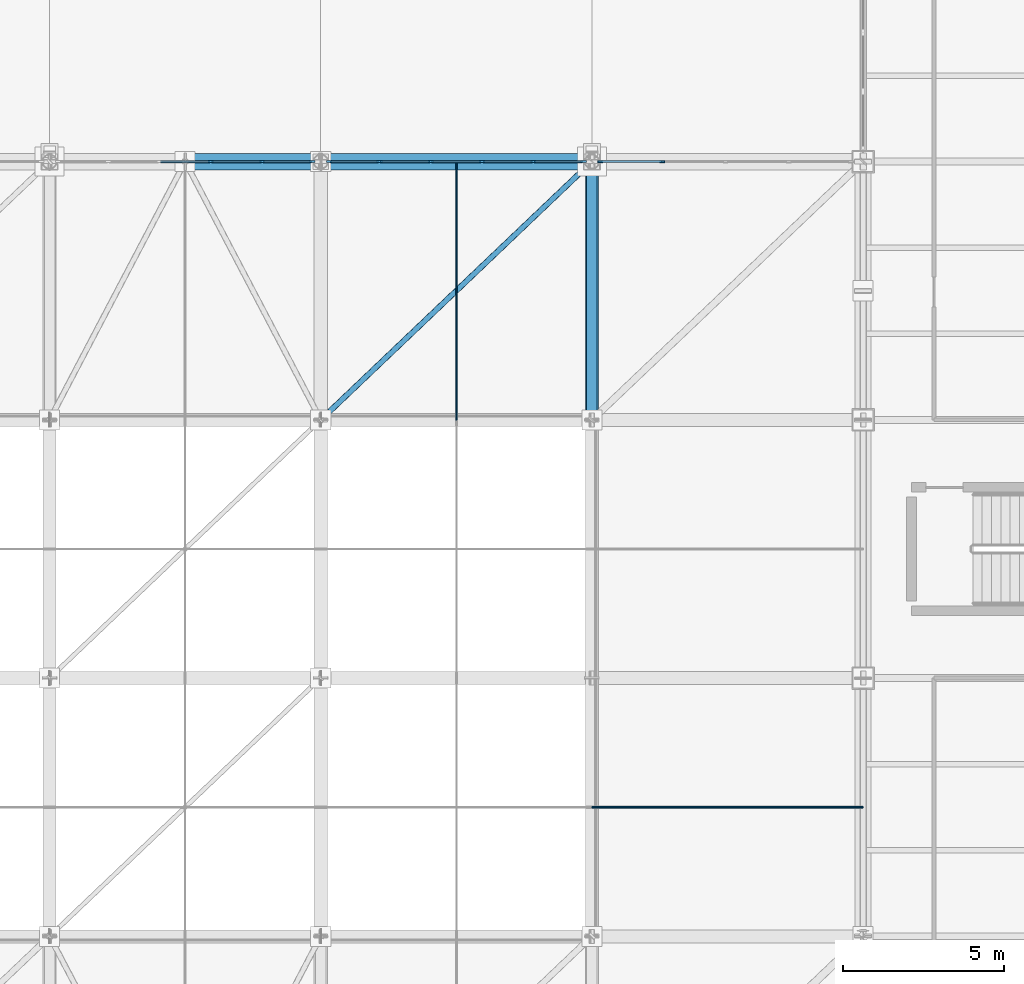
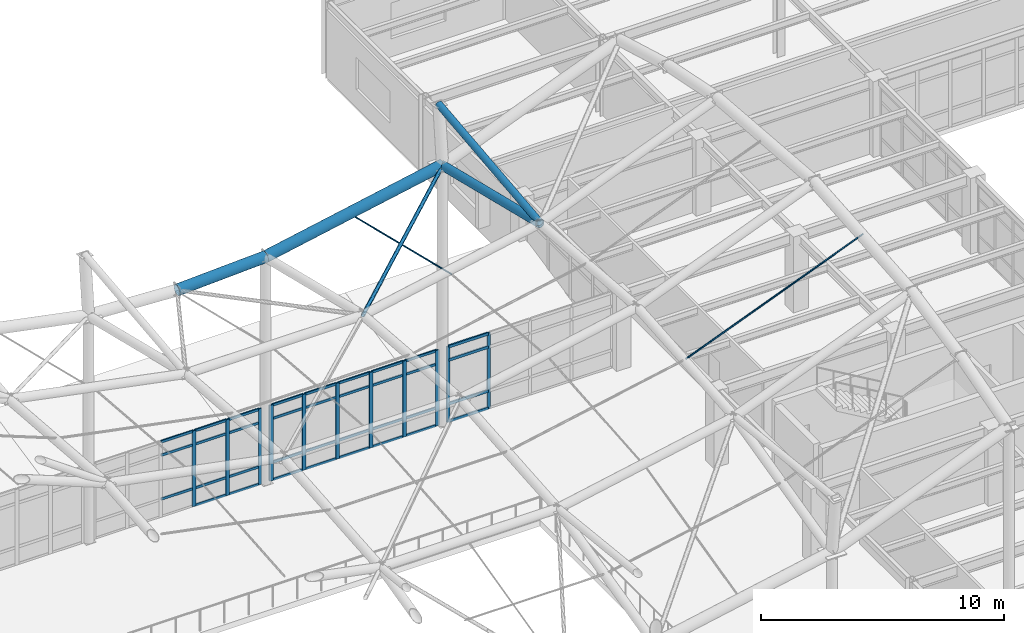
# One storey, part 45 of 138: 50 members, 3 beams, 3 elements without a shape of their own.
"""IFC4 building model written with IfcOpenShell, lengths in metres."""

from ifc_helpers import new_model, si_unit, direction, frame, origin, origin_2d, place, context, subcontext, project, spatial, rectangle, circle, hollow_circle, extrude, material, layer, layer_set, material_profile, profile_set, type_object, element, aggregate, save


model = new_model("IFC4")

# Units and contexts
model_context = context("Model", 3, precision=1e-05, world=origin(), true_north=direction((0.0, 1.0)))
body_context = subcontext(model_context, "Body", "Model", "MODEL_VIEW")
ifc_project = project(units=[si_unit("LENGTHUNIT", "METRE"), si_unit("AREAUNIT", "SQUARE_METRE"), si_unit("VOLUMEUNIT", "CUBIC_METRE"), si_unit("PLANEANGLEUNIT", "RADIAN"), si_unit("MASSUNIT", "GRAM", prefix="KILO")], contexts=[model_context])

# Site, building, storey
site_placement = place(None, origin())
site = spatial("IfcSite", under=ifc_project, at=site_placement, CompositionType="ELEMENT")
building_placement = place(site_placement, origin())
building = spatial("IfcBuilding", under=site, at=building_placement, Name="Kranzveld Transit Interchange", CompositionType="ELEMENT")
storey_placement = place(building_placement, frame((0.0, 0.0, 5.43994140625)))
storey = spatial("IfcBuildingStorey", under=building, at=storey_placement, Name="L01", CompositionType="ELEMENT", Elevation=5.43994140625)

# Curtain wall, members
ifc_material_1 = material(Name="Bronze-anodised thermally broken aluminium", Category="aluminium")
ifc_layer_1 = layer(ifc_material_1, 0.159912109375)
ifc_layer_set_1 = layer_set([ifc_layer_1], Name="Bronze-anodised thermally broken aluminium")
curtain_wall_type_1 = type_object("IfcCurtainWallType", Name="Bus Boarding Glazed Screen CW-3", PredefinedType="USERDEFINED", material=ifc_layer_set_1)
curtain_wall_1_placement = place(storey_placement, origin())
curtain_wall_1 = element("IfcCurtainWall", 1, at=curtain_wall_1_placement, inside=storey, type_object=curtain_wall_type_1, Name="L01 Curtain Wall 12/M-13/M", ObjectType="CURTAIN WALL", PredefinedType="USERDEFINED")
ifc_material_2 = material(Name="Bronze-anodised thermally broken aluminium", Category="aluminium")
ifc_material_profile_1 = material_profile(ifc_material_2, rectangle(XDim=0.06005859375, YDim=0.14990234375, at=origin_2d()), Name="ALU MULLION 60x150")
ifc_profile_set_1 = profile_set([ifc_material_profile_1], Name="Bronze-anodised thermally broken aluminium")
member_type_1 = type_object("IfcMemberType", Name="Curtain Wall Mullion 60x150 Alu", PredefinedType="MULLION", material=ifc_profile_set_1)
member_1_placement = place(storey_placement, frame((92.658447265625, 88.0, 0.0), z_axis=(0.0, 0.0, 1.0), x_axis=(0.0, 1.0, 0.0)))
member_1 = element("IfcMember", 2, at=member_1_placement, type_object=member_type_1, Name="CW-3 mullion 1", PredefinedType="MULLION", context=body_context, shape_type="SweptSolid", body=[
    extrude(rectangle(XDim=0.06005859375, YDim=0.14990234375, at=origin_2d()), origin(), (0.0, 0.0, 1.0), 3.800048828125),
])
member_2_placement = place(storey_placement, frame((94.583984375, 88.0, 0.0), z_axis=(0.0, 0.0, 1.0), x_axis=(0.0, 1.0, 0.0)))
member_2 = element("IfcMember", 3, at=member_2_placement, type_object=member_type_1, Name="CW-3 mullion 2", PredefinedType="MULLION", context=body_context, shape_type="SweptSolid", body=[
    extrude(rectangle(XDim=0.06005859375, YDim=0.14990234375, at=origin_2d()), origin(), (0.0, 0.0, 1.0), 3.800048828125),
])

ifc_material_3 = material(Name="Bronze-anodised thermally broken aluminium", Category="aluminium")
ifc_layer_2 = layer(ifc_material_3, 0.155029296875)
ifc_layer_set_2 = layer_set([ifc_layer_2], Name="Bronze-anodised thermally broken aluminium")
curtain_wall_type_2 = type_object("IfcCurtainWallType", Name="Operations Courtyard Glazed Screen CW-6", PredefinedType="USERDEFINED", material=ifc_layer_set_2)
curtain_wall_2_placement = place(storey_placement, origin())
curtain_wall_2 = element("IfcCurtainWall", 4, at=curtain_wall_2_placement, inside=storey, type_object=curtain_wall_type_2, Name="L01 Curtain Wall 10/M-11/M", ObjectType="CURTAIN WALL", PredefinedType="USERDEFINED")
ifc_material_4 = material(Name="Bronze-anodised thermally broken aluminium", Category="aluminium")
ifc_material_profile_2 = material_profile(ifc_material_4, rectangle(XDim=0.06494140625, YDim=0.1650390625, at=origin_2d()), Name="ALU MULLION 65x165")
ifc_profile_set_2 = profile_set([ifc_material_profile_2], Name="Bronze-anodised thermally broken aluminium")
member_type_2 = type_object("IfcMemberType", Name="Curtain Wall Mullion 65x165 Alu", PredefinedType="MULLION", material=ifc_profile_set_2)
member_3_placement = place(storey_placement, frame((80.59423828125, 88.0, 0.0), z_axis=(0.0, 0.0, 1.0), x_axis=(0.0, 1.0, 0.0)))
member_3 = element("IfcMember", 5, at=member_3_placement, type_object=member_type_2, Name="CW-6 mullion 4", PredefinedType="MULLION", context=body_context, shape_type="SweptSolid", body=[
    extrude(rectangle(XDim=0.06494140625, YDim=0.1650390625, at=origin_2d()), origin(), (0.0, 0.0, 1.0), 3.800048828125),
])
member_4_placement = place(storey_placement, frame((82.182861328125, 88.0, 0.0), z_axis=(0.0, 0.0, 1.0), x_axis=(0.0, 1.0, 0.0)))
member_4 = element("IfcMember", 6, at=member_4_placement, type_object=member_type_2, Name="CW-6 mullion 5", PredefinedType="MULLION", context=body_context, shape_type="SweptSolid", body=[
    extrude(rectangle(XDim=0.06494140625, YDim=0.1650390625, at=origin_2d()), origin(), (0.0, 0.0, 1.0), 3.800048828125),
])
member_5_placement = place(storey_placement, frame((83.739013671875, 88.0, 0.0), z_axis=(0.0, 0.0, 1.0), x_axis=(0.0, 1.0, 0.0)))
member_5 = element("IfcMember", 7, at=member_5_placement, type_object=member_type_2, Name="CW-6 mullion 6", PredefinedType="MULLION", context=body_context, shape_type="SweptSolid", body=[
    extrude(rectangle(XDim=0.06494140625, YDim=0.1650390625, at=origin_2d()), origin(), (0.0, 0.0, 1.0), 3.800048828125),
])

ifc_material_5 = material(Name="Bronze-anodised thermally broken aluminium", Category="aluminium")
ifc_layer_3 = layer(ifc_material_5, 0.1650390625)
ifc_layer_set_3 = layer_set([ifc_layer_3], Name="Bronze-anodised thermally broken aluminium")
curtain_wall_type_3 = type_object("IfcCurtainWallType", Name="Sunny Court Arcade Curtain Wall CW-2", PredefinedType="USERDEFINED", material=ifc_layer_set_3)
curtain_wall_3_placement = place(storey_placement, origin())
curtain_wall_3 = element("IfcCurtainWall", 8, at=curtain_wall_3_placement, inside=storey, type_object=curtain_wall_type_3, Name="L01 Curtain Wall 11/M-12/M", ObjectType="CURTAIN WALL", PredefinedType="USERDEFINED")
ifc_material_6 = material(Name="Bronze-anodised thermally broken aluminium", Category="aluminium")
ifc_material_profile_3 = material_profile(ifc_material_6, rectangle(XDim=0.06494140625, YDim=0.179931640625, at=origin_2d()), Name="ALU MULLION 65x180")
ifc_profile_set_3 = profile_set([ifc_material_profile_3], Name="Bronze-anodised thermally broken aluminium")
member_type_3 = type_object("IfcMemberType", Name="Curtain Wall Mullion 65x180 Alu", PredefinedType="MULLION", material=ifc_profile_set_3)
member_6_placement = place(storey_placement, frame((84.260986328125, 88.0, 0.0), z_axis=(0.0, 0.0, 1.0), x_axis=(0.0, 1.0, 0.0)))
member_6 = element("IfcMember", 9, at=member_6_placement, type_object=member_type_3, Name="CW-2 mullion 1", PredefinedType="MULLION", context=body_context, shape_type="SweptSolid", body=[
    extrude(rectangle(XDim=0.06494140625, YDim=0.179931640625, at=origin_2d()), origin(), (0.0, 0.0, 1.0), 3.800048828125),
])
member_7_placement = place(storey_placement, frame((85.817138671875, 88.0, 0.0), z_axis=(0.0, 0.0, 1.0), x_axis=(0.0, 1.0, 0.0)))
member_7 = element("IfcMember", 10, at=member_7_placement, type_object=member_type_3, Name="CW-2 mullion 2", PredefinedType="MULLION", context=body_context, shape_type="SweptSolid", body=[
    extrude(rectangle(XDim=0.06494140625, YDim=0.179931640625, at=origin_2d()), origin(), (0.0, 0.0, 1.0), 3.800048828125),
])
member_8_placement = place(storey_placement, frame((87.40576171875, 88.0, 0.0), z_axis=(0.0, 0.0, 1.0), x_axis=(0.0, 1.0, 0.0)))
member_8 = element("IfcMember", 11, at=member_8_placement, type_object=member_type_3, Name="CW-2 mullion 3", PredefinedType="MULLION", context=body_context, shape_type="SweptSolid", body=[
    extrude(rectangle(XDim=0.06494140625, YDim=0.179931640625, at=origin_2d()), origin(), (0.0, 0.0, 1.0), 3.800048828125),
])
member_9_placement = place(storey_placement, frame((88.994384765625, 88.0, 0.0), z_axis=(0.0, 0.0, 1.0), x_axis=(0.0, 1.0, 0.0)))
member_9 = element("IfcMember", 12, at=member_9_placement, type_object=member_type_3, Name="CW-2 mullion 4", PredefinedType="MULLION", context=body_context, shape_type="SweptSolid", body=[
    extrude(rectangle(XDim=0.06494140625, YDim=0.179931640625, at=origin_2d()), origin(), (0.0, 0.0, 1.0), 3.800048828125),
])
member_10_placement = place(storey_placement, frame((90.5830078125, 88.0, 0.0), z_axis=(0.0, 0.0, 1.0), x_axis=(0.0, 1.0, 0.0)))
member_10 = element("IfcMember", 13, at=member_10_placement, type_object=member_type_3, Name="CW-2 mullion 5", PredefinedType="MULLION", context=body_context, shape_type="SweptSolid", body=[
    extrude(rectangle(XDim=0.06494140625, YDim=0.179931640625, at=origin_2d()), origin(), (0.0, 0.0, 1.0), 3.800048828125),
])
member_11_placement = place(storey_placement, frame((92.138916015625, 88.0, 0.0), z_axis=(0.0, 0.0, 1.0), x_axis=(0.0, 1.0, 0.0)))
member_11 = element("IfcMember", 14, at=member_11_placement, type_object=member_type_3, Name="CW-2 mullion 6", PredefinedType="MULLION", context=body_context, shape_type="SweptSolid", body=[
    extrude(rectangle(XDim=0.06494140625, YDim=0.179931640625, at=origin_2d()), origin(), (0.0, 0.0, 1.0), 3.800048828125),
])

# Member
ifc_material_7 = material(Name="Bronze-anodised thermally broken aluminium", Category="aluminium")
ifc_material_profile_4 = material_profile(ifc_material_7, rectangle(XDim=0.06005859375, YDim=0.125, at=origin_2d()), Name="ALU TRANSOM 60x125")
ifc_profile_set_4 = profile_set([ifc_material_profile_4], Name="Bronze-anodised thermally broken aluminium")
member_type_4 = type_object("IfcMemberType", Name="Curtain Wall Transom 60x125 Alu", PredefinedType="USERDEFINED", material=ifc_profile_set_4)
member_12_placement = place(storey_placement, frame((79.0380859375, 88.0, 0.900146484375), z_axis=(1.0, 0.0, 0.0), x_axis=(0.0, 1.0, 0.0)))
member_12 = element("IfcMember", 15, at=member_12_placement, type_object=member_type_4, Name="CW-6 transom 3.2", ObjectType="TRANSOM", PredefinedType="USERDEFINED", context=body_context, shape_type="SweptSolid", body=[
    extrude(rectangle(XDim=0.06005859375, YDim=0.125, at=origin_2d()), origin(), (0.0, 0.0, 1.0), 1.523681640625),
])

member_13_placement = place(storey_placement, frame((79.0380859375, 88.0, 3.10009765625), z_axis=(1.0, 0.0, 0.0), x_axis=(0.0, 1.0, 0.0)))
member_13 = element("IfcMember", 16, at=member_13_placement, type_object=member_type_4, Name="CW-6 transom 3.3", ObjectType="TRANSOM", PredefinedType="USERDEFINED", context=body_context, shape_type="SweptSolid", body=[
    extrude(rectangle(XDim=0.06005859375, YDim=0.125, at=origin_2d()), origin(), (0.0, 0.0, 1.0), 1.523681640625),
])

member_14_placement = place(storey_placement, frame((79.0380859375, 88.0, 3.77001953125), z_axis=(1.0, 0.0, 0.0), x_axis=(0.0, 1.0, 0.0)))
member_14 = element("IfcMember", 17, at=member_14_placement, type_object=member_type_4, Name="CW-6 transom 3.4", ObjectType="TRANSOM", PredefinedType="USERDEFINED", context=body_context, shape_type="SweptSolid", body=[
    extrude(rectangle(XDim=0.06005859375, YDim=0.125, at=origin_2d()), origin(), (0.0, 0.0, 1.0), 1.523681640625),
])

member_15_placement = place(storey_placement, frame((80.626708984375, 88.0, 0.030029296875), z_axis=(1.0, 0.0, 0.0), x_axis=(0.0, 1.0, 0.0)))
member_15 = element("IfcMember", 18, at=member_15_placement, type_object=member_type_4, Name="CW-6 transom 4.1", ObjectType="TRANSOM", PredefinedType="USERDEFINED", context=body_context, shape_type="SweptSolid", body=[
    extrude(rectangle(XDim=0.06005859375, YDim=0.125, at=origin_2d()), origin(), (0.0, 0.0, 1.0), 1.523681640625),
])

member_16_placement = place(storey_placement, frame((80.626708984375, 88.0, 0.900146484375), z_axis=(1.0, 0.0, 0.0), x_axis=(0.0, 1.0, 0.0)))
member_16 = element("IfcMember", 19, at=member_16_placement, type_object=member_type_4, Name="CW-6 transom 4.2", ObjectType="TRANSOM", PredefinedType="USERDEFINED", context=body_context, shape_type="SweptSolid", body=[
    extrude(rectangle(XDim=0.06005859375, YDim=0.125, at=origin_2d()), origin(), (0.0, 0.0, 1.0), 1.523681640625),
])

member_17_placement = place(storey_placement, frame((80.626708984375, 88.0, 3.10009765625), z_axis=(1.0, 0.0, 0.0), x_axis=(0.0, 1.0, 0.0)))
member_17 = element("IfcMember", 20, at=member_17_placement, type_object=member_type_4, Name="CW-6 transom 4.3", ObjectType="TRANSOM", PredefinedType="USERDEFINED", context=body_context, shape_type="SweptSolid", body=[
    extrude(rectangle(XDim=0.06005859375, YDim=0.125, at=origin_2d()), origin(), (0.0, 0.0, 1.0), 1.523681640625),
])

member_18_placement = place(storey_placement, frame((80.626708984375, 88.0, 3.77001953125), z_axis=(1.0, 0.0, 0.0), x_axis=(0.0, 1.0, 0.0)))
member_18 = element("IfcMember", 21, at=member_18_placement, type_object=member_type_4, Name="CW-6 transom 4.4", ObjectType="TRANSOM", PredefinedType="USERDEFINED", context=body_context, shape_type="SweptSolid", body=[
    extrude(rectangle(XDim=0.06005859375, YDim=0.125, at=origin_2d()), origin(), (0.0, 0.0, 1.0), 1.523681640625),
])

member_19_placement = place(storey_placement, frame((82.21533203125, 88.0, 0.030029296875), z_axis=(1.0, 0.0, 0.0), x_axis=(0.0, 1.0, 0.0)))
member_19 = element("IfcMember", 22, at=member_19_placement, type_object=member_type_4, Name="CW-6 transom 5.1", ObjectType="TRANSOM", PredefinedType="USERDEFINED", context=body_context, shape_type="SweptSolid", body=[
    extrude(rectangle(XDim=0.06005859375, YDim=0.125, at=origin_2d()), origin(), (0.0, 0.0, 1.0), 1.4912109375),
])

member_20_placement = place(storey_placement, frame((82.21533203125, 88.0, 0.900146484375), z_axis=(1.0, 0.0, 0.0), x_axis=(0.0, 1.0, 0.0)))
member_20 = element("IfcMember", 23, at=member_20_placement, type_object=member_type_4, Name="CW-6 transom 5.2", ObjectType="TRANSOM", PredefinedType="USERDEFINED", context=body_context, shape_type="SweptSolid", body=[
    extrude(rectangle(XDim=0.06005859375, YDim=0.125, at=origin_2d()), origin(), (0.0, 0.0, 1.0), 1.4912109375),
])

member_21_placement = place(storey_placement, frame((82.21533203125, 88.0, 3.10009765625), z_axis=(1.0, 0.0, 0.0), x_axis=(0.0, 1.0, 0.0)))
member_21 = element("IfcMember", 24, at=member_21_placement, type_object=member_type_4, Name="CW-6 transom 5.3", ObjectType="TRANSOM", PredefinedType="USERDEFINED", context=body_context, shape_type="SweptSolid", body=[
    extrude(rectangle(XDim=0.06005859375, YDim=0.125, at=origin_2d()), origin(), (0.0, 0.0, 1.0), 1.4912109375),
])

member_22_placement = place(storey_placement, frame((82.21533203125, 88.0, 3.77001953125), z_axis=(1.0, 0.0, 0.0), x_axis=(0.0, 1.0, 0.0)))
member_22 = element("IfcMember", 25, at=member_22_placement, type_object=member_type_4, Name="CW-6 transom 5.4", ObjectType="TRANSOM", PredefinedType="USERDEFINED", context=body_context, shape_type="SweptSolid", body=[
    extrude(rectangle(XDim=0.06005859375, YDim=0.125, at=origin_2d()), origin(), (0.0, 0.0, 1.0), 1.4912109375),
])

aggregate(curtain_wall_2, [member_3, member_4, member_5, member_12, member_13, member_14, member_15, member_16, member_17, member_18, member_19, member_20, member_21, member_22])

member_23_placement = place(storey_placement, frame((84.29345703125, 88.0, 0.030029296875), z_axis=(1.0, 0.0, 0.0), x_axis=(0.0, 1.0, 0.0)))
member_23 = element("IfcMember", 26, at=member_23_placement, type_object=member_type_4, Name="CW-2 transom 1.1", ObjectType="TRANSOM", PredefinedType="USERDEFINED", context=body_context, shape_type="SweptSolid", body=[
    extrude(rectangle(XDim=0.06005859375, YDim=0.125, at=origin_2d()), origin(), (0.0, 0.0, 1.0), 1.4912109375),
])

member_24_placement = place(storey_placement, frame((84.29345703125, 88.0, 0.900146484375), z_axis=(1.0, 0.0, 0.0), x_axis=(0.0, 1.0, 0.0)))
member_24 = element("IfcMember", 27, at=member_24_placement, type_object=member_type_4, Name="CW-2 transom 1.2", ObjectType="TRANSOM", PredefinedType="USERDEFINED", context=body_context, shape_type="SweptSolid", body=[
    extrude(rectangle(XDim=0.06005859375, YDim=0.125, at=origin_2d()), origin(), (0.0, 0.0, 1.0), 1.4912109375),
])

member_25_placement = place(storey_placement, frame((84.29345703125, 88.0, 3.10009765625), z_axis=(1.0, 0.0, 0.0), x_axis=(0.0, 1.0, 0.0)))
member_25 = element("IfcMember", 28, at=member_25_placement, type_object=member_type_4, Name="CW-2 transom 1.3", ObjectType="TRANSOM", PredefinedType="USERDEFINED", context=body_context, shape_type="SweptSolid", body=[
    extrude(rectangle(XDim=0.06005859375, YDim=0.125, at=origin_2d()), origin(), (0.0, 0.0, 1.0), 1.4912109375),
])

member_26_placement = place(storey_placement, frame((84.29345703125, 88.0, 3.77001953125), z_axis=(1.0, 0.0, 0.0), x_axis=(0.0, 1.0, 0.0)))
member_26 = element("IfcMember", 29, at=member_26_placement, type_object=member_type_4, Name="CW-2 transom 1.4", ObjectType="TRANSOM", PredefinedType="USERDEFINED", context=body_context, shape_type="SweptSolid", body=[
    extrude(rectangle(XDim=0.06005859375, YDim=0.125, at=origin_2d()), origin(), (0.0, 0.0, 1.0), 1.4912109375),
])

member_27_placement = place(storey_placement, frame((85.849609375, 88.0, 0.030029296875), z_axis=(1.0, 0.0, 0.0), x_axis=(0.0, 1.0, 0.0)))
member_27 = element("IfcMember", 30, at=member_27_placement, type_object=member_type_4, Name="CW-2 transom 2.1", ObjectType="TRANSOM", PredefinedType="USERDEFINED", context=body_context, shape_type="SweptSolid", body=[
    extrude(rectangle(XDim=0.06005859375, YDim=0.125, at=origin_2d()), origin(), (0.0, 0.0, 1.0), 1.523681640625),
])

member_28_placement = place(storey_placement, frame((85.849609375, 88.0, 0.900146484375), z_axis=(1.0, 0.0, 0.0), x_axis=(0.0, 1.0, 0.0)))
member_28 = element("IfcMember", 31, at=member_28_placement, type_object=member_type_4, Name="CW-2 transom 2.2", ObjectType="TRANSOM", PredefinedType="USERDEFINED", context=body_context, shape_type="SweptSolid", body=[
    extrude(rectangle(XDim=0.06005859375, YDim=0.125, at=origin_2d()), origin(), (0.0, 0.0, 1.0), 1.523681640625),
])

member_29_placement = place(storey_placement, frame((85.849609375, 88.0, 3.10009765625), z_axis=(1.0, 0.0, 0.0), x_axis=(0.0, 1.0, 0.0)))
member_29 = element("IfcMember", 32, at=member_29_placement, type_object=member_type_4, Name="CW-2 transom 2.3", ObjectType="TRANSOM", PredefinedType="USERDEFINED", context=body_context, shape_type="SweptSolid", body=[
    extrude(rectangle(XDim=0.06005859375, YDim=0.125, at=origin_2d()), origin(), (0.0, 0.0, 1.0), 1.523681640625),
])

member_30_placement = place(storey_placement, frame((85.849609375, 88.0, 3.77001953125), z_axis=(1.0, 0.0, 0.0), x_axis=(0.0, 1.0, 0.0)))
member_30 = element("IfcMember", 33, at=member_30_placement, type_object=member_type_4, Name="CW-2 transom 2.4", ObjectType="TRANSOM", PredefinedType="USERDEFINED", context=body_context, shape_type="SweptSolid", body=[
    extrude(rectangle(XDim=0.06005859375, YDim=0.125, at=origin_2d()), origin(), (0.0, 0.0, 1.0), 1.523681640625),
])

member_31_placement = place(storey_placement, frame((87.438232421875, 88.0, 0.030029296875), z_axis=(1.0, 0.0, 0.0), x_axis=(0.0, 1.0, 0.0)))
member_31 = element("IfcMember", 34, at=member_31_placement, type_object=member_type_4, Name="CW-2 transom 3.1", ObjectType="TRANSOM", PredefinedType="USERDEFINED", context=body_context, shape_type="SweptSolid", body=[
    extrude(rectangle(XDim=0.06005859375, YDim=0.125, at=origin_2d()), origin(), (0.0, 0.0, 1.0), 1.523681640625),
])

member_32_placement = place(storey_placement, frame((87.438232421875, 88.0, 0.900146484375), z_axis=(1.0, 0.0, 0.0), x_axis=(0.0, 1.0, 0.0)))
member_32 = element("IfcMember", 35, at=member_32_placement, type_object=member_type_4, Name="CW-2 transom 3.2", ObjectType="TRANSOM", PredefinedType="USERDEFINED", context=body_context, shape_type="SweptSolid", body=[
    extrude(rectangle(XDim=0.06005859375, YDim=0.125, at=origin_2d()), origin(), (0.0, 0.0, 1.0), 1.523681640625),
])

member_33_placement = place(storey_placement, frame((87.438232421875, 88.0, 3.10009765625), z_axis=(1.0, 0.0, 0.0), x_axis=(0.0, 1.0, 0.0)))
member_33 = element("IfcMember", 36, at=member_33_placement, type_object=member_type_4, Name="CW-2 transom 3.3", ObjectType="TRANSOM", PredefinedType="USERDEFINED", context=body_context, shape_type="SweptSolid", body=[
    extrude(rectangle(XDim=0.06005859375, YDim=0.125, at=origin_2d()), origin(), (0.0, 0.0, 1.0), 1.523681640625),
])

member_34_placement = place(storey_placement, frame((87.438232421875, 88.0, 3.77001953125), z_axis=(1.0, 0.0, 0.0), x_axis=(0.0, 1.0, 0.0)))
member_34 = element("IfcMember", 37, at=member_34_placement, type_object=member_type_4, Name="CW-2 transom 3.4", ObjectType="TRANSOM", PredefinedType="USERDEFINED", context=body_context, shape_type="SweptSolid", body=[
    extrude(rectangle(XDim=0.06005859375, YDim=0.125, at=origin_2d()), origin(), (0.0, 0.0, 1.0), 1.523681640625),
])

member_35_placement = place(storey_placement, frame((89.02685546875, 88.0, 0.030029296875), z_axis=(1.0, 0.0, 0.0), x_axis=(0.0, 1.0, 0.0)))
member_35 = element("IfcMember", 38, at=member_35_placement, type_object=member_type_4, Name="CW-2 transom 4.1", ObjectType="TRANSOM", PredefinedType="USERDEFINED", context=body_context, shape_type="SweptSolid", body=[
    extrude(rectangle(XDim=0.06005859375, YDim=0.125, at=origin_2d()), origin(), (0.0, 0.0, 1.0), 1.5234375),
])

member_36_placement = place(storey_placement, frame((89.02685546875, 88.0, 0.900146484375), z_axis=(1.0, 0.0, 0.0), x_axis=(0.0, 1.0, 0.0)))
member_36 = element("IfcMember", 39, at=member_36_placement, type_object=member_type_4, Name="CW-2 transom 4.2", ObjectType="TRANSOM", PredefinedType="USERDEFINED", context=body_context, shape_type="SweptSolid", body=[
    extrude(rectangle(XDim=0.06005859375, YDim=0.125, at=origin_2d()), origin(), (0.0, 0.0, 1.0), 1.5234375),
])

member_37_placement = place(storey_placement, frame((89.02685546875, 88.0, 3.10009765625), z_axis=(1.0, 0.0, 0.0), x_axis=(0.0, 1.0, 0.0)))
member_37 = element("IfcMember", 40, at=member_37_placement, type_object=member_type_4, Name="CW-2 transom 4.3", ObjectType="TRANSOM", PredefinedType="USERDEFINED", context=body_context, shape_type="SweptSolid", body=[
    extrude(rectangle(XDim=0.06005859375, YDim=0.125, at=origin_2d()), origin(), (0.0, 0.0, 1.0), 1.5234375),
])

member_38_placement = place(storey_placement, frame((89.02685546875, 88.0, 3.77001953125), z_axis=(1.0, 0.0, 0.0), x_axis=(0.0, 1.0, 0.0)))
member_38 = element("IfcMember", 41, at=member_38_placement, type_object=member_type_4, Name="CW-2 transom 4.4", ObjectType="TRANSOM", PredefinedType="USERDEFINED", context=body_context, shape_type="SweptSolid", body=[
    extrude(rectangle(XDim=0.06005859375, YDim=0.125, at=origin_2d()), origin(), (0.0, 0.0, 1.0), 1.5234375),
])

member_39_placement = place(storey_placement, frame((90.615478515625, 88.0, 0.030029296875), z_axis=(1.0, 0.0, 0.0), x_axis=(0.0, 1.0, 0.0)))
member_39 = element("IfcMember", 42, at=member_39_placement, type_object=member_type_4, Name="CW-2 transom 5.1", ObjectType="TRANSOM", PredefinedType="USERDEFINED", context=body_context, shape_type="SweptSolid", body=[
    extrude(rectangle(XDim=0.06005859375, YDim=0.125, at=origin_2d()), origin(), (0.0, 0.0, 1.0), 1.490966796875),
])

member_40_placement = place(storey_placement, frame((90.615478515625, 88.0, 0.900146484375), z_axis=(1.0, 0.0, 0.0), x_axis=(0.0, 1.0, 0.0)))
member_40 = element("IfcMember", 43, at=member_40_placement, type_object=member_type_4, Name="CW-2 transom 5.2", ObjectType="TRANSOM", PredefinedType="USERDEFINED", context=body_context, shape_type="SweptSolid", body=[
    extrude(rectangle(XDim=0.06005859375, YDim=0.125, at=origin_2d()), origin(), (0.0, 0.0, 1.0), 1.490966796875),
])

member_41_placement = place(storey_placement, frame((90.615478515625, 88.0, 3.10009765625), z_axis=(1.0, 0.0, 0.0), x_axis=(0.0, 1.0, 0.0)))
member_41 = element("IfcMember", 44, at=member_41_placement, type_object=member_type_4, Name="CW-2 transom 5.3", ObjectType="TRANSOM", PredefinedType="USERDEFINED", context=body_context, shape_type="SweptSolid", body=[
    extrude(rectangle(XDim=0.06005859375, YDim=0.125, at=origin_2d()), origin(), (0.0, 0.0, 1.0), 1.490966796875),
])

member_42_placement = place(storey_placement, frame((90.615478515625, 88.0, 3.77001953125), z_axis=(1.0, 0.0, 0.0), x_axis=(0.0, 1.0, 0.0)))
member_42 = element("IfcMember", 45, at=member_42_placement, type_object=member_type_4, Name="CW-2 transom 5.4", ObjectType="TRANSOM", PredefinedType="USERDEFINED", context=body_context, shape_type="SweptSolid", body=[
    extrude(rectangle(XDim=0.06005859375, YDim=0.125, at=origin_2d()), origin(), (0.0, 0.0, 1.0), 1.490966796875),
])

aggregate(curtain_wall_3, [member_6, member_7, member_8, member_9, member_10, member_11, member_23, member_24, member_25, member_26, member_27, member_28, member_29, member_30, member_31, member_32, member_33, member_34, member_35, member_36, member_37, member_38, member_39, member_40, member_41, member_42])

ifc_material_8 = material(Name="Bronze-anodised thermally broken aluminium", Category="aluminium")
ifc_material_profile_5 = material_profile(ifc_material_8, rectangle(XDim=0.06494140625, YDim=0.139892578125, at=origin_2d()), Name="ALU TRANSOM 65x140")
ifc_profile_set_5 = profile_set([ifc_material_profile_5], Name="Bronze-anodised thermally broken aluminium")
member_type_5 = type_object("IfcMemberType", Name="Curtain Wall Transom 65x140 Alu", PredefinedType="USERDEFINED", material=ifc_profile_set_5)
member_43_placement = place(storey_placement, frame((92.6884765625, 88.0, 0.032470703125), z_axis=(1.0, 0.0, 0.0), x_axis=(0.0, 1.0, 0.0)))
member_43 = element("IfcMember", 46, at=member_43_placement, type_object=member_type_5, Name="CW-3 transom 1.1", ObjectType="TRANSOM", PredefinedType="USERDEFINED", context=body_context, shape_type="SweptSolid", body=[
    extrude(rectangle(XDim=0.06494140625, YDim=0.139892578125, at=origin_2d()), origin(), (0.0, 0.0, 1.0), 1.865478515625),
])

member_44_placement = place(storey_placement, frame((92.6884765625, 88.0, 0.900146484375), z_axis=(1.0, 0.0, 0.0), x_axis=(0.0, 1.0, 0.0)))
member_44 = element("IfcMember", 47, at=member_44_placement, type_object=member_type_5, Name="CW-3 transom 1.2", ObjectType="TRANSOM", PredefinedType="USERDEFINED", context=body_context, shape_type="SweptSolid", body=[
    extrude(rectangle(XDim=0.06494140625, YDim=0.139892578125, at=origin_2d()), origin(), (0.0, 0.0, 1.0), 1.865478515625),
])

member_45_placement = place(storey_placement, frame((92.6884765625, 88.0, 3.10009765625), z_axis=(1.0, 0.0, 0.0), x_axis=(0.0, 1.0, 0.0)))
member_45 = element("IfcMember", 48, at=member_45_placement, type_object=member_type_5, Name="CW-3 transom 1.3", ObjectType="TRANSOM", PredefinedType="USERDEFINED", context=body_context, shape_type="SweptSolid", body=[
    extrude(rectangle(XDim=0.06494140625, YDim=0.139892578125, at=origin_2d()), origin(), (0.0, 0.0, 1.0), 1.865478515625),
])

member_46_placement = place(storey_placement, frame((92.6884765625, 88.0, 3.767578125), z_axis=(1.0, 0.0, 0.0), x_axis=(0.0, 1.0, 0.0)))
member_46 = element("IfcMember", 49, at=member_46_placement, type_object=member_type_5, Name="CW-3 transom 1.4", ObjectType="TRANSOM", PredefinedType="USERDEFINED", context=body_context, shape_type="SweptSolid", body=[
    extrude(rectangle(XDim=0.06494140625, YDim=0.139892578125, at=origin_2d()), origin(), (0.0, 0.0, 1.0), 1.865478515625),
])

aggregate(curtain_wall_1, [member_1, member_2, member_43, member_44, member_45, member_46])

ifc_material_9 = material(Name="Steel S355JR", Category="steel")
ifc_material_profile_6 = material_profile(ifc_material_9, hollow_circle(Radius=0.161865234375, WallThickness=0.012451171875, at=origin_2d()), Name="CHS 323.9x12.5")
ifc_profile_set_6 = profile_set([ifc_material_profile_6], Name="Steel S355JR")
member_type_6 = type_object("IfcMemberType", Name="Mast Tripod Strut CHS 323.9x12.5 S355JR", PredefinedType="STRUT", material=ifc_profile_set_6)
member_47_placement = place(storey_placement, frame((92.39990234375, 80.0, 14.93212890625), z_axis=(0.0, 0.994173724148, 0.10778963871), x_axis=(-1.0, 0.0, 0.0)))
element("IfcMember", 50, at=member_47_placement, inside=storey, type_object=member_type_6, Name="Mast Tripod Strut MS-12", PredefinedType="STRUT", context=body_context, shape_type="SweptSolid", body=[
    extrude(hollow_circle(Radius=0.161865234375, WallThickness=0.012451171875, at=origin_2d()), origin(), (0.0, 0.0, 1.0), 8.3486328125),
])

# Beams
ifc_material_10 = material(Name="Steel S355JR", Category="steel")
ifc_material_profile_7 = material_profile(ifc_material_10, hollow_circle(Radius=0.25390625, WallThickness=0.02001953125, at=origin_2d()), Name="CHS 508x20")
ifc_profile_set_7 = profile_set([ifc_material_profile_7], Name="Steel S355JR")
beam_type_1 = type_object("IfcBeamType", Name="Ring Beam Steel CHS 508x20 S355JR", PredefinedType="BEAM", material=ifc_profile_set_7)
beam_1_placement = place(storey_placement, frame((92.39990234375, 88.0, 12.982177734375), z_axis=(-0.980936526023, 0.0, -0.194328412526), x_axis=(0.0, -1.0, 0.0)))
element("IfcBeam", 51, at=beam_1_placement, inside=storey, type_object=beam_type_1, Name="Saddle Compression Ring Chord 12M-11M", PredefinedType="BEAM", context=body_context, shape_type="SweptSolid", body=[
    extrude(hollow_circle(Radius=0.25390625, WallThickness=0.02001953125, at=origin_2d()), origin(), (0.0, 0.0, 1.0), 8.563232421875),
])
beam_2_placement = place(storey_placement, frame((84.0, 88.0, 11.318115234375), z_axis=(-0.998775827081, 0.0, -0.049465616734), x_axis=(0.0, -1.0, 0.0)))
element("IfcBeam", 52, at=beam_2_placement, inside=storey, type_object=beam_type_1, Name="Saddle Compression Ring Chord 11M-10mM", PredefinedType="BEAM", context=body_context, shape_type="SweptSolid", body=[
    extrude(hollow_circle(Radius=0.25390625, WallThickness=0.02001953125, at=origin_2d()), origin(), (0.0, 0.0, 1.0), 4.205078125),
])

# Member
ifc_material_11 = material(Name="Steel S355JR", Category="steel")
ifc_material_profile_8 = material_profile(ifc_material_11, hollow_circle(Radius=0.084228515625, WallThickness=0.00634765625, at=origin_2d()), Name="CHS 168.3x6.3")
ifc_profile_set_8 = profile_set([ifc_material_profile_8], Name="Steel S355JR")
member_type_7 = type_object("IfcMemberType", Name="Roof Plan Brace CHS 168.3x6.3 S355JR", PredefinedType="BRACE", material=ifc_profile_set_8)
member_48_placement = place(storey_placement, frame((84.0, 80.0, 13.218017578125), z_axis=(0.723914103286, 0.689450018499, -0.024638243764), x_axis=(-0.689659376744, 0.724133926887, 0.0)))
element("IfcMember", 53, at=member_48_placement, inside=storey, type_object=member_type_7, Name="Saddle Roof Plan Brace 11/L-12/M", PredefinedType="BRACE", context=body_context, shape_type="SweptSolid", body=[
    extrude(hollow_circle(Radius=0.084228515625, WallThickness=0.00634765625, at=origin_2d()), origin(), (0.0, 0.0, 1.0), 11.603515625),
])

# Beam
ifc_material_12 = material(Name="Steel S355JR", Category="steel")
ifc_material_profile_9 = material_profile(ifc_material_12, hollow_circle(Radius=0.203125, WallThickness=0.01611328125, at=origin_2d()), Name="CHS 406.4x16")
ifc_profile_set_9 = profile_set([ifc_material_profile_9], Name="Steel S355JR")
beam_type_2 = type_object("IfcBeamType", Name="Saddle Arch Rib CHS 406.4x16 S355JR", PredefinedType="BEAM", material=ifc_profile_set_9)
beam_3_placement = place(storey_placement, frame((92.39990234375, 80.0, 14.902099609375), z_axis=(0.0, 0.971555787477, -0.236810793292), x_axis=(-1.0, 0.0, 0.0)))
element("IfcBeam", 54, at=beam_3_placement, inside=storey, type_object=beam_type_2, Name="Saddle Arch Rib 12/L-M", PredefinedType="BEAM", context=body_context, shape_type="SweptSolid", body=[
    extrude(hollow_circle(Radius=0.203125, WallThickness=0.01611328125, at=origin_2d()), origin(), (0.0, 0.0, 1.0), 8.234130859375),
])

# Members
ifc_material_13 = material(Name="Steel S355JR", Category="steel")
ifc_material_profile_10 = material_profile(ifc_material_13, circle(Radius=0.031982421875, at=origin_2d()), Name="CABLE D64")
ifc_profile_set_10 = profile_set([ifc_material_profile_10], Name="Steel S355JR")
member_type_8 = type_object("IfcMemberType", Name="Saddle Carrying Cable D64 S355JR", PredefinedType="USERDEFINED", material=ifc_profile_set_10)
member_49_placement = place(storey_placement, frame((92.39990234375, 68.0, 15.36962890625), z_axis=(0.929699657216, 0.0, 0.368318540631), x_axis=(0.0, 1.0, 0.0)))
element("IfcMember", 55, at=member_49_placement, inside=storey, type_object=member_type_8, Name="Saddle Carrying Cable 12/K", ObjectType="CABLE", PredefinedType="USERDEFINED", context=body_context, shape_type="SweptSolid", body=[
    extrude(circle(Radius=0.031982421875, at=origin_2d()), origin(), (0.0, 0.0, 1.0), 9.035400390625),
])
ifc_material_14 = material(Name="Steel S355JR", Category="steel")
ifc_material_profile_11 = material_profile(ifc_material_14, circle(Radius=0.02392578125, at=origin_2d()), Name="CABLE D48")
ifc_profile_set_11 = profile_set([ifc_material_profile_11], Name="Steel S355JR")
member_type_9 = type_object("IfcMemberType", Name="Saddle Stabilising Cable D48 S355JR", PredefinedType="USERDEFINED", material=ifc_profile_set_11)
member_50_placement = place(storey_placement, frame((88.199951171875, 80.0, 13.822021484375), z_axis=(0.0, 0.971555787477, -0.236810793292), x_axis=(-1.0, 0.0, 0.0)))
element("IfcMember", 56, at=member_50_placement, inside=storey, type_object=member_type_9, Name="Saddle Stabilising Cable 12/L", ObjectType="CABLE", PredefinedType="USERDEFINED", context=body_context, shape_type="SweptSolid", body=[
    extrude(circle(Radius=0.02392578125, at=origin_2d()), origin(), (0.0, 0.0, 1.0), 8.234130859375),
])

save(model, "model.ifc")
